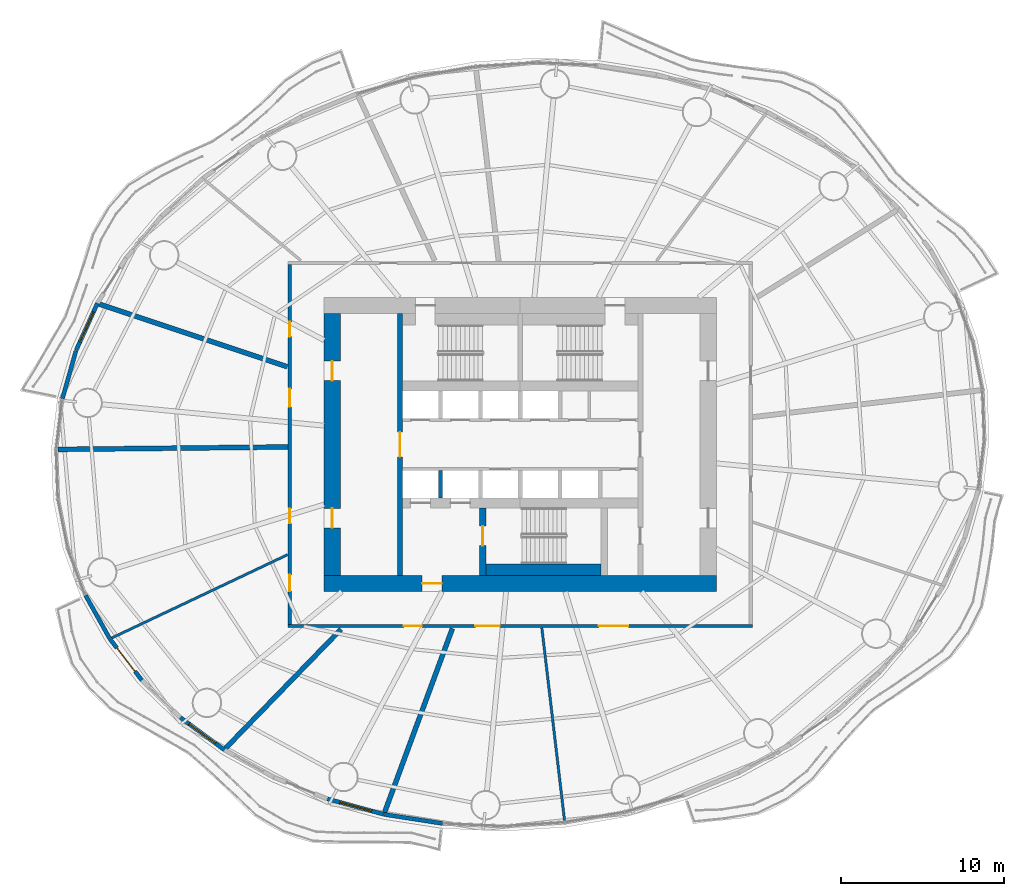
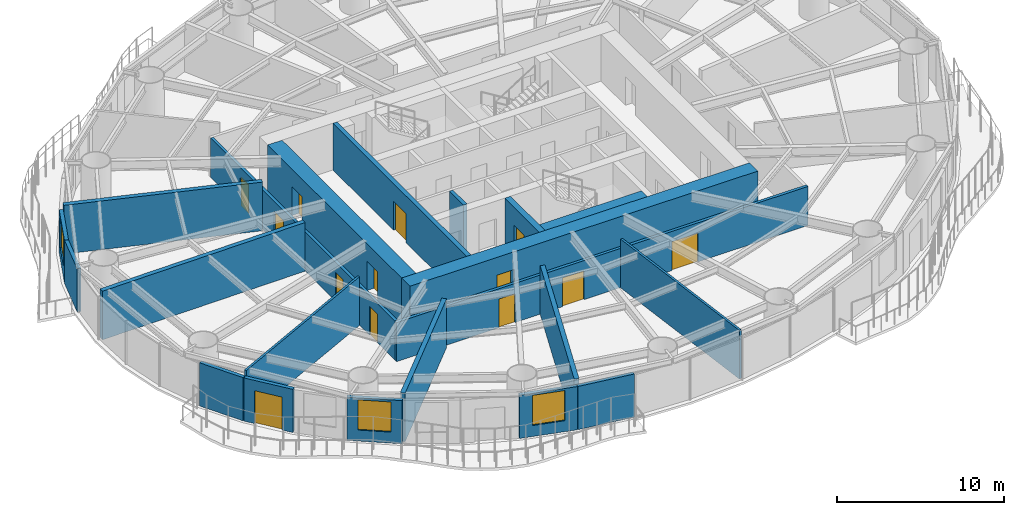
# One storey, part 8 of 16: 21 walls, 13 doors, 3 windows, 16 openings.
"""IFC4 building model written with IfcOpenShell, lengths in metres."""

from ifc_helpers import new_model, si_unit, direction, frame, frame_2d, origin, place, context, subcontext, project, spatial, rectangle, extrude, material, layer, layer_set, type_object, element, fill, save


model = new_model("IFC4")

# Units and contexts
model_context = context("Model", 3, precision=1e-05, world=origin(), true_north=direction((0.0, 1.0)))
body_context = subcontext(model_context, "Body", "Model", "MODEL_VIEW")
ifc_project = project(units=[si_unit("LENGTHUNIT", "METRE"), si_unit("AREAUNIT", "SQUARE_METRE"), si_unit("VOLUMEUNIT", "CUBIC_METRE"), si_unit("PLANEANGLEUNIT", "RADIAN"), si_unit("MASSUNIT", "GRAM", prefix="KILO")], contexts=[model_context])

# Site, building, storey
site_placement = place(None, origin())
site = spatial("IfcSite", under=ifc_project, at=site_placement, CompositionType="ELEMENT")
building_placement = place(site_placement, origin())
building = spatial("IfcBuilding", under=site, at=building_placement, Name="Vermilion Reach Broadcast Tower", CompositionType="ELEMENT")
storey_placement = place(building_placement, frame((0.0, 0.0, 61.89990234375)))
storey = spatial("IfcBuildingStorey", under=building, at=storey_placement, Name="L12", CompositionType="ELEMENT", Elevation=61.89990234375)

# Wall, opening, door
ifc_material_1 = material(Name="Concrete C70", Category="concrete")
ifc_layer_1 = layer(ifc_material_1, 0.300048828125)
ifc_layer_set_1 = layer_set([ifc_layer_1], Name="Core inner wall 300 mm Concrete C70")
wall_type_1 = type_object("IfcWallType", Name="Core inner wall 300 mm Concrete C70", PredefinedType="SHEAR", material=ifc_layer_set_1)
wall_1_placement = place(storey_placement, frame((-13.35009765625, 8.0, 0.0), z_axis=(0.0, 0.0, 1.0), x_axis=(0.0, -1.0, 0.0)))
wall_1 = element("IfcWall", 1, at=wall_1_placement, inside=storey, type_object=wall_type_1, Name="L12 core wall ewW", PredefinedType="SHEAR", context=body_context, shape_type="SweptSolid", body=[
    extrude(rectangle(XDim=16.0, YDim=0.300048828125, at=frame_2d((8.0, 0.0))), origin(), (0.0, 0.0, 1.0), 3.400146484375),
])
opening_1_placement = place(wall_1_placement, frame((7.25, 0.0, 0.0)))
opening_1 = element("IfcOpeningElement", 2, at=opening_1_placement, cuts=wall_1, Name="Opening D04", PredefinedType="OPENING", context=body_context, shape_type="SweptSolid", body=[
    extrude(rectangle(XDim=1.5, YDim=2.10009765625, at=frame_2d((0.75, 1.050048828125))), frame((0.0, 0.159912109375, 0.0), z_axis=(0.0, -1.0, 0.0), x_axis=(1.0, 0.0, 0.0)), (0.0, 0.0, 1.0), 0.320068359375),
])
ifc_material_2 = material(Name="Painted steel fire door", Category="steel")
door_type_1 = type_object("IfcDoorType", Name="Lift lobby door 1500 x 2100", OperationType="DOUBLE_DOOR_SINGLE_SWING", PredefinedType="NOTDEFINED", material=ifc_material_2)
door_1_placement = place(opening_1_placement, origin())
door_1 = element("IfcDoor", 3, at=door_1_placement, inside=storey, type_object=door_type_1, Name="L12 band door BW", OperationType="DOUBLE_DOOR_SINGLE_SWING", OverallHeight=2.10009765625, OverallWidth=1.5, PredefinedType="NOTDEFINED", context=body_context, shape_type="SweptSolid", body=[
    extrude(rectangle(XDim=1.5, YDim=2.10009765625, at=frame_2d((0.75, 1.050048828125))), frame((0.0, 0.02490234375, 0.0), z_axis=(0.0, -1.0, 0.0), x_axis=(1.0, 0.0, 0.0)), (0.0, 0.0, 1.0), 0.050048828125),
])
fill(opening_1, door_1)

ifc_material_3 = material(Name="Concrete C70", Category="concrete")
ifc_layer_2 = layer(ifc_material_3, 0.39990234375)
ifc_layer_set_2 = layer_set([ifc_layer_2], Name="Core inner wall 400 mm Concrete C70")
wall_type_2 = type_object("IfcWallType", Name="Core inner wall 400 mm Concrete C70", PredefinedType="SHEAR", material=ifc_layer_set_2)
wall_2_placement = place(storey_placement, frame((-8.300048828125, -3.8798828125, 0.0), z_axis=(0.0, 0.0, 1.0), x_axis=(0.0, -1.0, 0.0)))
wall_2 = element("IfcWall", 4, at=wall_2_placement, inside=storey, type_object=wall_type_2, Name="L12 core wall wa", PredefinedType="SHEAR", context=body_context, shape_type="SweptSolid", body=[
    extrude(rectangle(XDim=4.1201171875, YDim=0.39990234375, at=frame_2d((2.06005859375, 0.0))), origin(), (0.0, 0.0, 1.0), 3.400146484375),
])
opening_2_placement = place(wall_2_placement, frame((1.110107421875, 0.0, 0.0)))
opening_2 = element("IfcOpeningElement", 5, at=opening_2_placement, cuts=wall_2, Name="Opening D01", PredefinedType="OPENING", context=body_context, shape_type="SweptSolid", body=[
    extrude(rectangle(XDim=1.199951171875, YDim=2.10009765625, at=frame_2d((0.60009765625, 1.050048828125))), frame((0.0, 0.2099609375, 0.0), z_axis=(0.0, -1.0, 0.0), x_axis=(1.0, 0.0, 0.0)), (0.0, 0.0, 1.0), 0.419921875),
])
ifc_material_4 = material(Name="Painted steel fire door", Category="steel")
door_type_2 = type_object("IfcDoorType", Name="Stair door 1200 x 2100", OperationType="DOUBLE_DOOR_SINGLE_SWING", PredefinedType="NOTDEFINED", material=ifc_material_4)
door_2_placement = place(opening_2_placement, origin())
door_2 = element("IfcDoor", 6, at=door_2_placement, inside=storey, type_object=door_type_2, Name="L12 stair door ST3", OperationType="DOUBLE_DOOR_SINGLE_SWING", OverallHeight=2.10009765625, OverallWidth=1.199951171875, PredefinedType="NOTDEFINED", context=body_context, shape_type="SweptSolid", body=[
    extrude(rectangle(XDim=1.199951171875, YDim=2.10009765625, at=frame_2d((0.60009765625, 1.050048828125))), frame((0.0, 0.02490234375, 0.0), z_axis=(0.0, -1.0, 0.0), x_axis=(1.0, 0.0, 0.0)), (0.0, 0.0, 1.0), 0.050048828125),
])
fill(opening_2, door_2)

ifc_material_5 = material(Name="Concrete C70", Category="concrete")
ifc_layer_3 = layer(ifc_material_5, 1.0)
ifc_layer_set_3 = layer_set([ifc_layer_3], Name="Core outer wall 1000 mm Concrete C70")
wall_type_3 = type_object("IfcWallType", Name="Core outer wall 1000 mm Concrete C70", PredefinedType="SHEAR", material=ifc_layer_set_3)
wall_3_placement = place(storey_placement, frame((-18.0, -8.5, 0.0), z_axis=(0.0, 0.0, 1.0), x_axis=(1.0, 0.0, 0.0)))
wall_3 = element("IfcWall", 7, at=wall_3_placement, inside=storey, type_object=wall_type_3, Name="L12 core wall os", PredefinedType="SHEAR", context=body_context, shape_type="SweptSolid", body=[
    extrude(rectangle(XDim=24.0, YDim=1.0, at=frame_2d((12.0, 0.0))), origin(), (0.0, 0.0, 1.0), 3.400146484375),
])
opening_3_placement = place(wall_3_placement, frame((6.0, 0.0, 0.0)))
opening_3 = element("IfcOpeningElement", 8, at=opening_3_placement, cuts=wall_3, Name="Opening D02", PredefinedType="OPENING", context=body_context, shape_type="SweptSolid", body=[
    extrude(rectangle(XDim=1.199951171875, YDim=2.10009765625, at=frame_2d((0.60009765625, 1.050048828125))), frame((0.0, 0.510009765625, 0.0), z_axis=(0.0, -1.0, 0.0), x_axis=(1.0, 0.0, 0.0)), (0.0, 0.0, 1.0), 1.02001953125),
])
ifc_material_6 = material(Name="Painted steel fire door", Category="steel")
door_type_3 = type_object("IfcDoorType", Name="Firefighting lobby door 1200 x 2100", OperationType="DOUBLE_DOOR_SINGLE_SWING", PredefinedType="NOTDEFINED", material=ifc_material_6)
door_3_placement = place(opening_3_placement, origin())
door_3 = element("IfcDoor", 9, at=door_3_placement, inside=storey, type_object=door_type_3, Name="L12 ffdoor door FFL", OperationType="DOUBLE_DOOR_SINGLE_SWING", OverallHeight=2.10009765625, OverallWidth=1.199951171875, PredefinedType="NOTDEFINED", context=body_context, shape_type="SweptSolid", body=[
    extrude(rectangle(XDim=1.199951171875, YDim=2.10009765625, at=frame_2d((0.60009765625, 1.050048828125))), frame((0.0, 0.02490234375, 0.0), z_axis=(0.0, -1.0, 0.0), x_axis=(1.0, 0.0, 0.0)), (0.0, 0.0, 1.0), 0.050048828125),
])
fill(opening_3, door_3)

# Wall, openings, doors
wall_4_placement = place(storey_placement, frame((-17.5, 8.0, 0.0), z_axis=(0.0, 0.0, 1.0), x_axis=(0.0, -1.0, 0.0)))
wall_4 = element("IfcWall", 10, at=wall_4_placement, inside=storey, type_object=wall_type_3, Name="L12 core wall ow", PredefinedType="SHEAR", context=body_context, shape_type="SweptSolid", body=[
    extrude(rectangle(XDim=16.0, YDim=1.0, at=frame_2d((8.0, 0.0))), origin(), (0.0, 0.0, 1.0), 3.400146484375),
])
opening_4_placement = place(wall_4_placement, frame((11.89990234375, 0.0, 0.0)))
opening_4 = element("IfcOpeningElement", 11, at=opening_4_placement, cuts=wall_4, Name="Opening D03", PredefinedType="OPENING", context=body_context, shape_type="SweptSolid", body=[
    extrude(rectangle(XDim=1.199951171875, YDim=2.10009765625, at=frame_2d((0.60009765625, 1.050048828125))), frame((0.0, 0.510009765625, 0.0), z_axis=(0.0, -1.0, 0.0), x_axis=(1.0, 0.0, 0.0)), (0.0, 0.0, 1.0), 1.02001953125),
])
opening_5_placement = place(wall_4_placement, frame((2.89990234375, 0.0, 0.0)))
opening_5 = element("IfcOpeningElement", 12, at=opening_5_placement, cuts=wall_4, Name="Opening D03", PredefinedType="OPENING", context=body_context, shape_type="SweptSolid", body=[
    extrude(rectangle(XDim=1.199951171875, YDim=2.10009765625, at=frame_2d((0.60009765625, 1.050048828125))), frame((0.0, 0.510009765625, 0.0), z_axis=(0.0, -1.0, 0.0), x_axis=(1.0, 0.0, 0.0)), (0.0, 0.0, 1.0), 1.02001953125),
])
ifc_material_7 = material(Name="Painted steel fire door", Category="steel")
door_type_4 = type_object("IfcDoorType", Name="Core lobby door 1200 x 2100", OperationType="DOUBLE_DOOR_SINGLE_SWING", PredefinedType="NOTDEFINED", material=ifc_material_7)
door_4_placement = place(opening_4_placement, origin())
door_4 = element("IfcDoor", 13, at=door_4_placement, inside=storey, type_object=door_type_4, Name="L12 slot door W0", OperationType="DOUBLE_DOOR_SINGLE_SWING", OverallHeight=2.10009765625, OverallWidth=1.199951171875, PredefinedType="NOTDEFINED", context=body_context, shape_type="SweptSolid", body=[
    extrude(rectangle(XDim=1.199951171875, YDim=2.10009765625, at=frame_2d((0.60009765625, 1.050048828125))), frame((0.0, 0.02490234375, 0.0), z_axis=(0.0, -1.0, 0.0), x_axis=(1.0, 0.0, 0.0)), (0.0, 0.0, 1.0), 0.050048828125),
])
fill(opening_4, door_4)
door_5_placement = place(opening_5_placement, origin())
door_5 = element("IfcDoor", 14, at=door_5_placement, inside=storey, type_object=door_type_4, Name="L12 slot door W1", OperationType="DOUBLE_DOOR_SINGLE_SWING", OverallHeight=2.10009765625, OverallWidth=1.199951171875, PredefinedType="NOTDEFINED", context=body_context, shape_type="SweptSolid", body=[
    extrude(rectangle(XDim=1.199951171875, YDim=2.10009765625, at=frame_2d((0.60009765625, 1.050048828125))), frame((0.0, 0.02490234375, 0.0), z_axis=(0.0, -1.0, 0.0), x_axis=(1.0, 0.0, 0.0)), (0.0, 0.0, 1.0), 0.050048828125),
])
fill(opening_5, door_5)

# Walls
ifc_material_8 = material(Name="Concrete C50", Category="concrete")
ifc_layer_4 = layer(ifc_material_8, 0.25)
ifc_layer_set_4 = layer_set([ifc_layer_4], Name="Core shaft wall 250 mm Concrete C50")
wall_type_4 = type_object("IfcWallType", Name="Core shaft wall 250 mm Concrete C50", PredefinedType="SHEAR", material=ifc_layer_set_4)
wall_5_placement = place(storey_placement, frame((-10.88330078125, -1.60009765625, 0.0), z_axis=(0.0, 0.0, 1.0), x_axis=(0.0, -1.0, 0.0)))
element("IfcWall", 15, at=wall_5_placement, inside=storey, type_object=wall_type_4, Name="L12 core wall psS0", PredefinedType="SHEAR", context=body_context, shape_type="SweptSolid", body=[
    extrude(rectangle(XDim=1.679931640625, YDim=0.25, at=frame_2d((0.83984375, 0.0))), origin(), (0.0, 0.0, 1.0), 3.400146484375),
])
ifc_material_9 = material(Name="Concrete C70", Category="concrete")
ifc_layer_5 = layer(ifc_material_9, 0.699951171875)
ifc_layer_set_5 = layer_set([ifc_layer_5], Name="Core stair wall 700 mm Concrete C70")
wall_type_5 = type_object("IfcWallType", Name="Core stair wall 700 mm Concrete C70", PredefinedType="SHEAR", material=ifc_layer_set_5)
wall_6_placement = place(storey_placement, frame((-8.10009765625, -7.64990234375, 0.0), z_axis=(0.0, 0.0, 1.0), x_axis=(1.0, 0.0, 0.0)))
element("IfcWall", 16, at=wall_6_placement, inside=storey, type_object=wall_type_5, Name="L12 core wall l3", PredefinedType="SHEAR", context=body_context, shape_type="SweptSolid", body=[
    extrude(rectangle(XDim=7.050048828125, YDim=0.699951171875, at=frame_2d((3.52490234375, 0.0))), origin(), (0.0, 0.0, 1.0), 3.400146484375),
])
ifc_material_10 = material(Name="Lightweight concrete block, plastered", Category="concrete")
ifc_layer_6 = layer(ifc_material_10, 0.14990234375)
ifc_layer_set_6 = layer_set([ifc_layer_6], Name="Partition 150 lightweight block")
wall_type_6 = type_object("IfcWallType", Name="Partition 150 lightweight block", PredefinedType="PARTITIONING", material=ifc_layer_set_6)
wall_7_placement = place(storey_placement, frame((-30.989013671875, -11.836181640625, 0.0), z_axis=(0.0, 0.0, 1.0), x_axis=(0.903749950704, 0.428060774427, 0.0)))
element("IfcWall", 17, at=wall_7_placement, inside=storey, type_object=wall_type_6, Name="Partition 12.09", PredefinedType="PARTITIONING", context=body_context, shape_type="SweptSolid", body=[
    extrude(rectangle(XDim=11.90234375, YDim=0.14990234375, at=frame_2d((5.951171875, 0.0))), origin(), (0.0, 0.0, 1.0), 3.550048828125),
])
wall_8_placement = place(storey_placement, frame((-3.290771484375, -22.99267578125, 0.0), z_axis=(0.0, 0.0, 1.0), x_axis=(-0.117014349032, 0.99313022415, 0.0)))
element("IfcWall", 18, at=wall_8_placement, inside=storey, type_object=wall_type_6, Name="Partition 12.12", PredefinedType="PARTITIONING", context=body_context, shape_type="SweptSolid", body=[
    extrude(rectangle(XDim=11.865478515625, YDim=0.14990234375, at=frame_2d((5.9326171875, 0.0))), origin(), (0.0, 0.0, 1.0), 3.550048828125),
])
ifc_material_11 = material(Name="Double-leaf plasterboard on isolated steel stud", Category="steel")
ifc_layer_7 = layer(ifc_material_11, 0.300048828125)
ifc_layer_set_7 = layer_set([ifc_layer_7], Name="Partition 300 acoustic double leaf")
wall_type_7 = type_object("IfcWallType", Name="Partition 300 acoustic double leaf", PredefinedType="PARTITIONING", material=ifc_layer_set_7)
wall_9_placement = place(storey_placement, frame((-31.751708984375, 8.58935546875, 0.0), z_axis=(0.0, 0.0, 1.0), x_axis=(0.948622885836, -0.316408944986, 0.0)))
element("IfcWall", 19, at=wall_9_placement, inside=storey, type_object=wall_type_7, Name="Partition 12.07", PredefinedType="PARTITIONING", context=body_context, shape_type="SweptSolid", body=[
    extrude(rectangle(XDim=12.127197265625, YDim=0.300048828125, at=frame_2d((6.0634765625, 0.0))), origin(), (0.0, 0.0, 1.0), 3.550048828125),
])
wall_10_placement = place(storey_placement, frame((-34.26513671875, -0.299560546875, 0.0), z_axis=(0.0, 0.0, 1.0), x_axis=(0.999943935511, 0.010588948696, 0.0)))
element("IfcWall", 20, at=wall_10_placement, inside=storey, type_object=wall_type_7, Name="Partition 12.08", PredefinedType="PARTITIONING", context=body_context, shape_type="SweptSolid", body=[
    extrude(rectangle(XDim=14.064208984375, YDim=0.300048828125, at=frame_2d((7.0322265625, 0.0))), origin(), (0.0, 0.0, 1.0), 3.550048828125),
])
wall_11_placement = place(storey_placement, frame((-24.02490234375, -18.57958984375, 0.0), z_axis=(0.0, 0.0, 1.0), x_axis=(0.696307194709, 0.717743889278, 0.0)))
element("IfcWall", 21, at=wall_11_placement, inside=storey, type_object=wall_type_7, Name="Partition 12.10", PredefinedType="PARTITIONING", context=body_context, shape_type="SweptSolid", body=[
    extrude(rectangle(XDim=10.13623046875, YDim=0.300048828125, at=frame_2d((5.068115234375, 0.0))), origin(), (0.0, 0.0, 1.0), 3.550048828125),
])
wall_12_placement = place(storey_placement, frame((-14.29736328125, -22.505126953125, 0.0), z_axis=(0.0, 0.0, 1.0), x_axis=(0.345927029168, 0.938261419057, 0.0)))
element("IfcWall", 22, at=wall_12_placement, inside=storey, type_object=wall_type_7, Name="Partition 12.11", PredefinedType="PARTITIONING", context=body_context, shape_type="SweptSolid", body=[
    extrude(rectangle(XDim=11.99365234375, YDim=0.300048828125, at=frame_2d((5.996826171875, 0.0))), origin(), (0.0, 0.0, 1.0), 3.550048828125),
])

# Wall, opening, window
ifc_material_12 = material(Name="Terracotta rainscreen cladding", Category="masonry")
ifc_layer_8 = layer(ifc_material_12, 0.25)
ifc_layer_set_8 = layer_set([ifc_layer_8], Name="Terracotta rainscreen wall 250")
wall_type_8 = type_object("IfcWallType", Name="Terracotta rainscreen wall 250", PredefinedType="SOLIDWALL", material=ifc_layer_set_8)
wall_13_placement = place(storey_placement, frame((-31.866943359375, 8.636962890625, 0.0), z_axis=(0.0, 0.0, 1.0), x_axis=(-0.411804193901, -0.911272355493, 0.0)))
wall_13 = element("IfcWall", 23, at=wall_13_placement, inside=storey, type_object=wall_type_8, Name="External wall L12 20", PredefinedType="SOLIDWALL", context=body_context, shape_type="SweptSolid", body=[
    extrude(rectangle(XDim=3.158203125, YDim=0.25, at=frame_2d((1.5791015625, 0.0))), origin(), (0.0, 0.0, 1.0), 3.150146484375),
])
opening_6_placement = place(wall_13_placement, frame((0.5791015625, 0.0, 0.800048828125)))
opening_6 = element("IfcOpeningElement", 24, at=opening_6_placement, cuts=wall_13, Name="Opening W01", PredefinedType="OPENING", context=body_context, shape_type="SweptSolid", body=[
    extrude(rectangle(XDim=2.0, YDim=2.199951171875, at=frame_2d((1.0, 1.10009765625))), frame((0.0, 0.135009765625, 0.0), z_axis=(0.0, -1.0, 0.0), x_axis=(1.0, 0.0, 0.0)), (0.0, 0.0, 1.0), 0.27001953125),
])
ifc_material_13 = material(Name="Low-e laminated clear glass in aluminium frame", Category="aluminium")
window_type = type_object("IfcWindowType", Name="Punched window 2000 x 2200 sill 800", PartitioningType="SINGLE_PANEL", PredefinedType="WINDOW", material=ifc_material_13)
window_1_placement = place(opening_6_placement, origin())
window_1 = element("IfcWindow", 25, at=window_1_placement, inside=storey, type_object=window_type, Name="Window L12 20", OverallHeight=2.199951171875, OverallWidth=2.0, PartitioningType="SINGLE_PANEL", PredefinedType="WINDOW", context=body_context, shape_type="SweptSolid", body=[
    extrude(rectangle(XDim=2.0, YDim=2.199951171875, at=frame_2d((1.0, 1.10009765625))), frame((0.0, 0.030029296875, 0.0), z_axis=(0.0, -1.0, 0.0), x_axis=(1.0, 0.0, 0.0)), (0.0, 0.0, 1.0), 0.06005859375),
])
fill(opening_6, window_1)

# Walls
wall_14_placement = place(storey_placement, frame((-33.1767578125, 5.734130859375, 0.0), z_axis=(0.0, 0.0, 1.0), x_axis=(-0.27192635973, -0.962318063264, 0.0)))
element("IfcWall", 26, at=wall_14_placement, inside=storey, type_object=wall_type_8, Name="External wall L12 21", PredefinedType="SOLIDWALL", context=body_context, shape_type="SweptSolid", body=[
    extrude(rectangle(XDim=3.047119140625, YDim=0.25, at=frame_2d((1.5234375, 0.0))), origin(), (0.0, 0.0, 1.0), 3.150146484375),
])
wall_15_placement = place(storey_placement, frame((-32.587158203125, -9.234375, 0.0), z_axis=(0.0, 0.0, 1.0), x_axis=(0.488205617754, -0.872728637547, 0.0)))
element("IfcWall", 27, at=wall_15_placement, inside=storey, type_object=wall_type_8, Name="External wall L12 26", PredefinedType="SOLIDWALL", context=body_context, shape_type="SweptSolid", body=[
    extrude(rectangle(XDim=3.046875, YDim=0.25, at=frame_2d((1.5234375, 0.0))), origin(), (0.0, 0.0, 1.0), 3.150146484375),
])

# Wall, opening, door
wall_16_placement = place(storey_placement, frame((-31.0849609375, -11.915771484375, 0.0), z_axis=(0.0, 0.0, 1.0), x_axis=(0.612382091745, -0.790561935404, 0.0)))
wall_16 = element("IfcWall", 28, at=wall_16_placement, inside=storey, type_object=wall_type_8, Name="External wall L12 27", PredefinedType="SOLIDWALL", context=body_context, shape_type="SweptSolid", body=[
    extrude(rectangle(XDim=3.158203125, YDim=0.25, at=frame_2d((1.5791015625, 0.0))), origin(), (0.0, 0.0, 1.0), 3.150146484375),
])
opening_7_placement = place(wall_16_placement, frame((0.678955078125, 0.0, 0.0)))
opening_7 = element("IfcOpeningElement", 29, at=opening_7_placement, cuts=wall_16, Name="Opening D70", PredefinedType="OPENING", context=body_context, shape_type="SweptSolid", body=[
    extrude(rectangle(XDim=1.800048828125, YDim=2.39990234375, at=frame_2d((0.89990234375, 1.199951171875))), frame((0.0, 0.135009765625, 0.0), z_axis=(0.0, -1.0, 0.0), x_axis=(1.0, 0.0, 0.0)), (0.0, 0.0, 1.0), 0.27001953125),
])
ifc_material_14 = material(Name="Low-e laminated clear glass in aluminium frame", Category="aluminium")
door_type_5 = type_object("IfcDoorType", Name="Balcony sliding door 1800 x 2400", OperationType="DOUBLE_DOOR_SLIDING", PredefinedType="DOOR", material=ifc_material_14)
door_6_placement = place(opening_7_placement, origin())
door_6 = element("IfcDoor", 30, at=door_6_placement, inside=storey, type_object=door_type_5, Name="Balcony door L12 run 07", OperationType="DOUBLE_DOOR_SLIDING", OverallHeight=2.39990234375, OverallWidth=1.800048828125, PredefinedType="DOOR", context=body_context, shape_type="SweptSolid", body=[
    extrude(rectangle(XDim=1.800048828125, YDim=2.39990234375, at=frame_2d((0.89990234375, 1.199951171875))), frame((0.0, 0.02490234375, 0.0), z_axis=(0.0, -1.0, 0.0), x_axis=(1.0, 0.0, 0.0)), (0.0, 0.0, 1.0), 0.050048828125),
])
fill(opening_7, door_6)

# Wall, opening, window
wall_17_placement = place(storey_placement, frame((-26.786376953125, -16.703125, 0.0), z_axis=(0.0, 0.0, 1.0), x_axis=(0.80553067299, -0.592554077594, 0.0)))
wall_17 = element("IfcWall", 31, at=wall_17_placement, inside=storey, type_object=wall_type_8, Name="External wall L12 29", PredefinedType="SOLIDWALL", context=body_context, shape_type="SweptSolid", body=[
    extrude(rectangle(XDim=3.332275390625, YDim=0.25, at=frame_2d((1.666015625, 0.0))), origin(), (0.0, 0.0, 1.0), 3.150146484375),
])
opening_8_placement = place(wall_17_placement, frame((0.666015625, 0.0, 0.800048828125)))
opening_8 = element("IfcOpeningElement", 32, at=opening_8_placement, cuts=wall_17, Name="Opening W01", PredefinedType="OPENING", context=body_context, shape_type="SweptSolid", body=[
    extrude(rectangle(XDim=2.0, YDim=2.199951171875, at=frame_2d((1.0, 1.10009765625))), frame((0.0, 0.135009765625, 0.0), z_axis=(0.0, -1.0, 0.0), x_axis=(1.0, 0.0, 0.0)), (0.0, 0.0, 1.0), 0.27001953125),
])
window_2_placement = place(opening_8_placement, origin())
window_2 = element("IfcWindow", 33, at=window_2_placement, inside=storey, type_object=window_type, Name="Window L12 29", OverallHeight=2.199951171875, OverallWidth=2.0, PartitioningType="SINGLE_PANEL", PredefinedType="WINDOW", context=body_context, shape_type="SweptSolid", body=[
    extrude(rectangle(XDim=2.0, YDim=2.199951171875, at=frame_2d((1.0, 1.10009765625))), frame((0.0, 0.030029296875, 0.0), z_axis=(0.0, -1.0, 0.0), x_axis=(1.0, 0.0, 0.0)), (0.0, 0.0, 1.0), 0.06005859375),
])
fill(opening_8, window_2)

wall_18_placement = place(storey_placement, frame((-17.791259765625, -21.679931640625, 0.0), z_axis=(0.0, 0.0, 1.0), x_axis=(0.964644250164, -0.263555441274, 0.0)))
wall_18 = element("IfcWall", 34, at=wall_18_placement, inside=storey, type_object=wall_type_8, Name="External wall L12 32", PredefinedType="SOLIDWALL", context=body_context, shape_type="SweptSolid", body=[
    extrude(rectangle(XDim=3.583984375, YDim=0.25, at=frame_2d((1.7919921875, 0.0))), origin(), (0.0, 0.0, 1.0), 3.150146484375),
])
opening_9_placement = place(wall_18_placement, frame((0.7919921875, 0.0, 0.800048828125)))
opening_9 = element("IfcOpeningElement", 35, at=opening_9_placement, cuts=wall_18, Name="Opening W01", PredefinedType="OPENING", context=body_context, shape_type="SweptSolid", body=[
    extrude(rectangle(XDim=2.0, YDim=2.199951171875, at=frame_2d((1.0, 1.10009765625))), frame((0.0, 0.135009765625, 0.0), z_axis=(0.0, -1.0, 0.0), x_axis=(1.0, 0.0, 0.0)), (0.0, 0.0, 1.0), 0.27001953125),
])
window_3_placement = place(opening_9_placement, origin())
window_3 = element("IfcWindow", 36, at=window_3_placement, inside=storey, type_object=window_type, Name="Window L12 32", OverallHeight=2.199951171875, OverallWidth=2.0, PartitioningType="SINGLE_PANEL", PredefinedType="WINDOW", context=body_context, shape_type="SweptSolid", body=[
    extrude(rectangle(XDim=2.0, YDim=2.199951171875, at=frame_2d((1.0, 1.10009765625))), frame((0.0, 0.030029296875, 0.0), z_axis=(0.0, -1.0, 0.0), x_axis=(1.0, 0.0, 0.0)), (0.0, 0.0, 1.0), 0.06005859375),
])
fill(opening_9, window_3)

# Wall
wall_19_placement = place(storey_placement, frame((-14.3125, -22.629150390625, 0.0), z_axis=(0.0, 0.0, 1.0), x_axis=(0.98816220641, -0.153412691208, 0.0)))
element("IfcWall", 37, at=wall_19_placement, inside=storey, type_object=wall_type_8, Name="External wall L12 33", PredefinedType="SOLIDWALL", context=body_context, shape_type="SweptSolid", body=[
    extrude(rectangle(XDim=3.599853515625, YDim=0.25, at=frame_2d((1.7998046875, 0.0))), origin(), (0.0, 0.0, 1.0), 3.150146484375),
])

# Wall, openings, doors
ifc_material_15 = material(Name="Fire-rated gypsum board partition")
ifc_layer_9 = layer(ifc_material_15, 0.199951171875)
ifc_layer_set_9 = layer_set([ifc_layer_9], Name="Under girder: Corridor wall 200 fire-rated")
wall_type_9 = type_object("IfcWallType", Name="Under girder: Corridor wall 200 fire-rated", PredefinedType="PARTITIONING", material=ifc_layer_set_9)
wall_20_placement = place(storey_placement, frame((8.199951171875, -11.10009765625, 0.0), z_axis=(0.0, 0.0, 1.0), x_axis=(-1.0, 0.0, 0.0)))
wall_20 = element("IfcWall", 38, at=wall_20_placement, inside=storey, type_object=wall_type_9, Name="Corridor wall 12.S", PredefinedType="PARTITIONING", context=body_context, shape_type="SweptSolid", body=[
    extrude(rectangle(XDim=28.39990234375, YDim=0.199951171875, at=frame_2d((14.199951171875, 0.0))), origin(), (0.0, 0.0, 1.0), 2.85009765625),
])
opening_10_placement = place(wall_20_placement, frame((20.22021484375, 0.0, 0.0)))
opening_10 = element("IfcOpeningElement", 39, at=opening_10_placement, cuts=wall_20, Name="Opening D28", PredefinedType="OPENING", context=body_context, shape_type="SweptSolid", body=[
    extrude(rectangle(XDim=1.10009765625, YDim=2.10009765625, at=frame_2d((0.550048828125, 1.050048828125))), frame((0.0, 0.10986328125, 0.0), z_axis=(0.0, -1.0, 0.0), x_axis=(1.0, 0.0, 0.0)), (0.0, 0.0, 1.0), 0.219970703125),
])
opening_11_placement = place(wall_20_placement, frame((15.444580078125, 0.0, 0.0)))
opening_11 = element("IfcOpeningElement", 40, at=opening_11_placement, cuts=wall_20, Name="Opening D24", PredefinedType="OPENING", context=body_context, shape_type="SweptSolid", body=[
    extrude(rectangle(XDim=1.5, YDim=2.10009765625, at=frame_2d((0.75, 1.050048828125))), frame((0.0, 0.10986328125, 0.0), z_axis=(0.0, -1.0, 0.0), x_axis=(1.0, 0.0, 0.0)), (0.0, 0.0, 1.0), 0.219970703125),
])
opening_12_placement = place(wall_20_placement, frame((7.586181640625, 0.0, 0.0)))
opening_12 = element("IfcOpeningElement", 41, at=opening_12_placement, cuts=wall_20, Name="Opening D21", PredefinedType="OPENING", context=body_context, shape_type="SweptSolid", body=[
    extrude(rectangle(XDim=1.800048828125, YDim=2.10009765625, at=frame_2d((0.89990234375, 1.050048828125))), frame((0.0, 0.10986328125, 0.0), z_axis=(0.0, -1.0, 0.0), x_axis=(1.0, 0.0, 0.0)), (0.0, 0.0, 1.0), 0.219970703125),
])
ifc_material_16 = material(Name="Timber door leaf", Category="wood")
door_type_6 = type_object("IfcDoorType", Name="Door pair 1500x2100", OperationType="NOTDEFINED", PredefinedType="DOOR", material=ifc_material_16)
door_7_placement = place(opening_11_placement, origin())
door_7 = element("IfcDoor", 42, at=door_7_placement, inside=storey, type_object=door_type_6, Name="Door 12.11", OperationType="DOUBLE_DOOR_SINGLE_SWING", OverallHeight=2.10009765625, OverallWidth=1.5, PredefinedType="DOOR", context=body_context, shape_type="SweptSolid", body=[
    extrude(rectangle(XDim=1.5, YDim=2.10009765625, at=frame_2d((0.75, 1.050048828125))), frame((0.0, 0.02490234375, 0.0), z_axis=(0.0, -1.0, 0.0), x_axis=(1.0, 0.0, 0.0)), (0.0, 0.0, 1.0), 0.050048828125),
])
fill(opening_11, door_7)
ifc_material_17 = material(Name="Timber door leaf", Category="wood")
door_type_7 = type_object("IfcDoorType", Name="Door pair 1800x2100", OperationType="NOTDEFINED", PredefinedType="DOOR", material=ifc_material_17)
door_8_placement = place(opening_12_placement, origin())
door_8 = element("IfcDoor", 43, at=door_8_placement, inside=storey, type_object=door_type_7, Name="Door 12.12", OperationType="DOUBLE_DOOR_SINGLE_SWING", OverallHeight=2.10009765625, OverallWidth=1.800048828125, PredefinedType="DOOR", context=body_context, shape_type="SweptSolid", body=[
    extrude(rectangle(XDim=1.800048828125, YDim=2.10009765625, at=frame_2d((0.89990234375, 1.050048828125))), frame((0.0, 0.02490234375, 0.0), z_axis=(0.0, -1.0, 0.0), x_axis=(1.0, 0.0, 0.0)), (0.0, 0.0, 1.0), 0.050048828125),
])
fill(opening_12, door_8)
ifc_material_18 = material(Name="Acoustic sound-lock door leaf")
door_type_8 = type_object("IfcDoorType", Name="Door single 1100x2100", OperationType="NOTDEFINED", PredefinedType="DOOR", material=ifc_material_18)
door_9_placement = place(opening_10_placement, origin())
door_9 = element("IfcDoor", 44, at=door_9_placement, inside=storey, type_object=door_type_8, Name="Door 12.10", OperationType="SINGLE_SWING_LEFT", OverallHeight=2.10009765625, OverallWidth=1.10009765625, PredefinedType="DOOR", context=body_context, shape_type="SweptSolid", body=[
    extrude(rectangle(XDim=1.10009765625, YDim=2.10009765625, at=frame_2d((0.550048828125, 1.050048828125))), frame((0.0, 0.02490234375, 0.0), z_axis=(0.0, -1.0, 0.0), x_axis=(1.0, 0.0, 0.0)), (0.0, 0.0, 1.0), 0.050048828125),
])
fill(opening_10, door_9)

wall_21_placement = place(storey_placement, frame((-20.10009765625, -11.0, 0.0), z_axis=(0.0, 0.0, 1.0), x_axis=(0.0, 1.0, 0.0)))
wall_21 = element("IfcWall", 45, at=wall_21_placement, inside=storey, type_object=wall_type_9, Name="Corridor wall 12.W", PredefinedType="PARTITIONING", context=body_context, shape_type="SweptSolid", body=[
    extrude(rectangle(XDim=22.0, YDim=0.199951171875, at=frame_2d((11.0, 0.0))), origin(), (0.0, 0.0, 1.0), 2.85009765625),
])
opening_13_placement = place(wall_21_placement, frame((17.60546875, 0.0, 0.0)))
opening_13 = element("IfcOpeningElement", 46, at=opening_13_placement, cuts=wall_21, Name="Opening D22", PredefinedType="OPENING", context=body_context, shape_type="SweptSolid", body=[
    extrude(rectangle(XDim=0.89990234375, YDim=2.10009765625, at=frame_2d((0.449951171875, 1.050048828125))), frame((0.0, 0.10986328125, 0.0), z_axis=(0.0, -1.0, 0.0), x_axis=(1.0, 0.0, 0.0)), (0.0, 0.0, 1.0), 0.219970703125),
])
opening_14_placement = place(wall_21_placement, frame((13.30029296875, 0.0, 0.0)))
opening_14 = element("IfcOpeningElement", 47, at=opening_14_placement, cuts=wall_21, Name="Opening D28", PredefinedType="OPENING", context=body_context, shape_type="SweptSolid", body=[
    extrude(rectangle(XDim=1.10009765625, YDim=2.10009765625, at=frame_2d((0.550048828125, 1.050048828125))), frame((0.0, 0.10986328125, 0.0), z_axis=(0.0, -1.0, 0.0), x_axis=(1.0, 0.0, 0.0)), (0.0, 0.0, 1.0), 0.219970703125),
])
opening_15_placement = place(wall_21_placement, frame((6.1767578125, 0.0, 0.0)))
opening_15 = element("IfcOpeningElement", 48, at=opening_15_placement, cuts=wall_21, Name="Opening D22", PredefinedType="OPENING", context=body_context, shape_type="SweptSolid", body=[
    extrude(rectangle(XDim=0.89990234375, YDim=2.10009765625, at=frame_2d((0.449951171875, 1.050048828125))), frame((0.0, 0.10986328125, 0.0), z_axis=(0.0, -1.0, 0.0), x_axis=(1.0, 0.0, 0.0)), (0.0, 0.0, 1.0), 0.219970703125),
])
opening_16_placement = place(wall_21_placement, frame((2.03173828125, 0.0, 0.0)))
opening_16 = element("IfcOpeningElement", 49, at=opening_16_placement, cuts=wall_21, Name="Opening D20", PredefinedType="OPENING", context=body_context, shape_type="SweptSolid", body=[
    extrude(rectangle(XDim=1.0, YDim=2.10009765625, at=frame_2d((0.5, 1.050048828125))), frame((0.0, 0.10986328125, 0.0), z_axis=(0.0, -1.0, 0.0), x_axis=(1.0, 0.0, 0.0)), (0.0, 0.0, 1.0), 0.219970703125),
])
ifc_material_19 = material(Name="Timber door leaf", Category="wood")
door_type_9 = type_object("IfcDoorType", Name="Door single 1000x2100", OperationType="NOTDEFINED", PredefinedType="DOOR", material=ifc_material_19)
door_10_placement = place(opening_16_placement, origin())
door_10 = element("IfcDoor", 50, at=door_10_placement, inside=storey, type_object=door_type_9, Name="Door 12.09", OperationType="SINGLE_SWING_RIGHT", OverallHeight=2.10009765625, OverallWidth=1.0, PredefinedType="DOOR", context=body_context, shape_type="SweptSolid", body=[
    extrude(rectangle(XDim=1.0, YDim=2.10009765625, at=frame_2d((0.5, 1.050048828125))), frame((0.0, 0.02490234375, 0.0), z_axis=(0.0, -1.0, 0.0), x_axis=(1.0, 0.0, 0.0)), (0.0, 0.0, 1.0), 0.050048828125),
])
fill(opening_16, door_10)
door_11_placement = place(opening_14_placement, origin())
door_11 = element("IfcDoor", 51, at=door_11_placement, inside=storey, type_object=door_type_8, Name="Door 12.07", OperationType="SINGLE_SWING_RIGHT", OverallHeight=2.10009765625, OverallWidth=1.10009765625, PredefinedType="DOOR", context=body_context, shape_type="SweptSolid", body=[
    extrude(rectangle(XDim=1.10009765625, YDim=2.10009765625, at=frame_2d((0.550048828125, 1.050048828125))), frame((0.0, 0.02490234375, 0.0), z_axis=(0.0, -1.0, 0.0), x_axis=(1.0, 0.0, 0.0)), (0.0, 0.0, 1.0), 0.050048828125),
])
fill(opening_14, door_11)
ifc_material_20 = material(Name="Timber door leaf", Category="wood")
door_type_10 = type_object("IfcDoorType", Name="Door single 900x2100", OperationType="NOTDEFINED", PredefinedType="DOOR", material=ifc_material_20)
door_12_placement = place(opening_13_placement, origin())
door_12 = element("IfcDoor", 52, at=door_12_placement, inside=storey, type_object=door_type_10, Name="Door 12.06", OperationType="SINGLE_SWING_LEFT", OverallHeight=2.10009765625, OverallWidth=0.89990234375, PredefinedType="DOOR", context=body_context, shape_type="SweptSolid", body=[
    extrude(rectangle(XDim=0.89990234375, YDim=2.10009765625, at=frame_2d((0.449951171875, 1.050048828125))), frame((0.0, 0.02490234375, 0.0), z_axis=(0.0, -1.0, 0.0), x_axis=(1.0, 0.0, 0.0)), (0.0, 0.0, 1.0), 0.050048828125),
])
fill(opening_13, door_12)
door_13_placement = place(opening_15_placement, origin())
door_13 = element("IfcDoor", 53, at=door_13_placement, inside=storey, type_object=door_type_10, Name="Door 12.08", OperationType="SINGLE_SWING_LEFT", OverallHeight=2.10009765625, OverallWidth=0.89990234375, PredefinedType="DOOR", context=body_context, shape_type="SweptSolid", body=[
    extrude(rectangle(XDim=0.89990234375, YDim=2.10009765625, at=frame_2d((0.449951171875, 1.050048828125))), frame((0.0, 0.02490234375, 0.0), z_axis=(0.0, -1.0, 0.0), x_axis=(1.0, 0.0, 0.0)), (0.0, 0.0, 1.0), 0.050048828125),
])
fill(opening_15, door_13)

save(model, "model.ifc")
